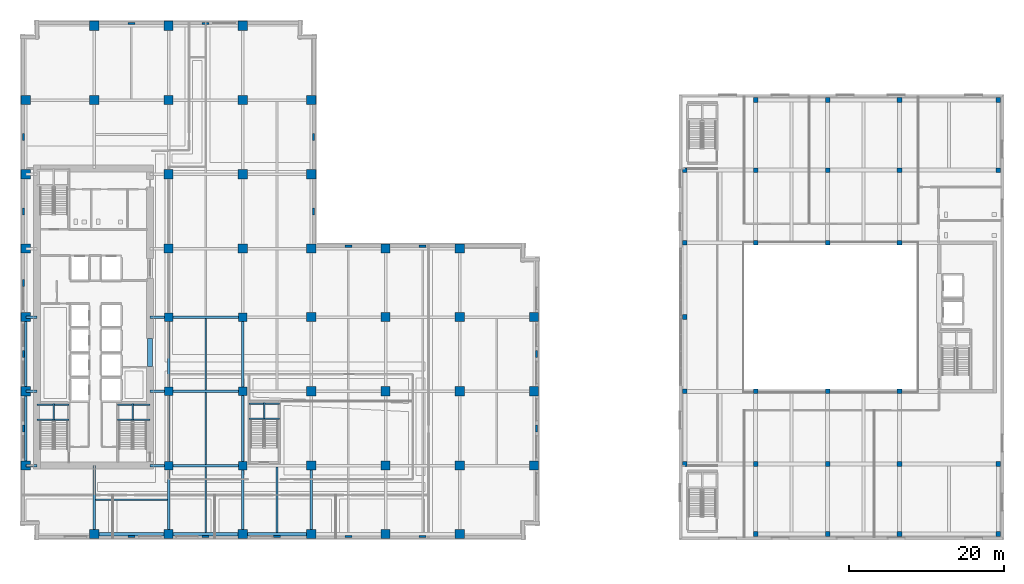
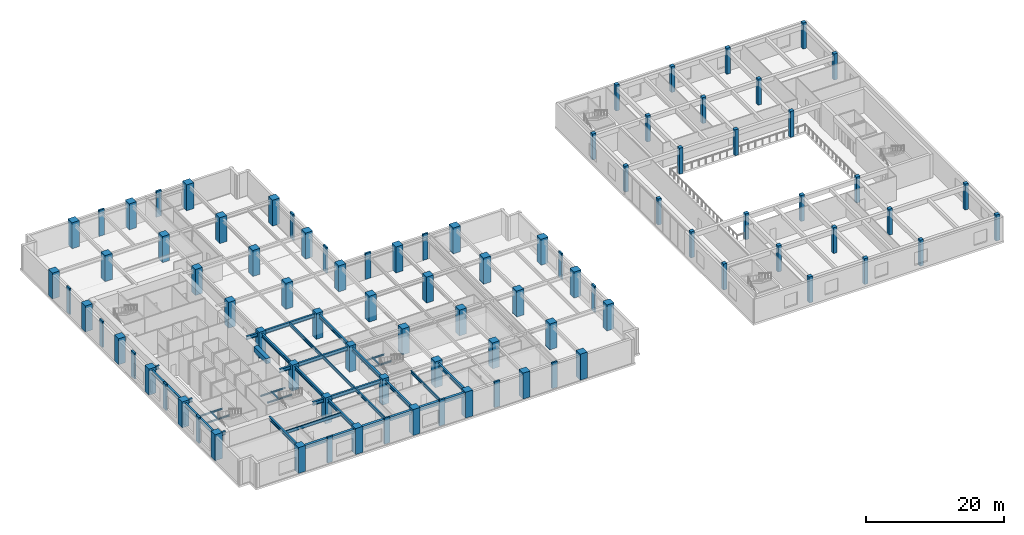
# One storey, part 1 of 24: 90 columns, 37 beams.
"""IFC4 building model written with IfcOpenShell, lengths in metres."""

from ifc_helpers import new_model, si_unit, direction, frame, origin, origin_2d, place, context, subcontext, project, spatial, rectangle, i_section, extrude, material, material_profile, profile_set, type_object, element, save


model = new_model("IFC4")

# Units and contexts
model_context = context("Model", 3, precision=1e-05, world=origin(), true_north=direction((0.0, 1.0)))
body_context = subcontext(model_context, "Body", "Model", "MODEL_VIEW")
ifc_project = project(units=[si_unit("LENGTHUNIT", "METRE"), si_unit("AREAUNIT", "SQUARE_METRE"), si_unit("VOLUMEUNIT", "CUBIC_METRE"), si_unit("PLANEANGLEUNIT", "RADIAN"), si_unit("MASSUNIT", "GRAM", prefix="KILO")], contexts=[model_context])

# Site, building, storey
site_placement = place(None, origin())
site = spatial("IfcSite", under=ifc_project, at=site_placement, CompositionType="ELEMENT")
building_placement = place(site_placement, origin())
building = spatial("IfcBuilding", under=site, at=building_placement, Name="Norrvale University Quadrangle", CompositionType="ELEMENT")
storey_placement = place(building_placement, frame((0.0, 0.0, 10.39990234375)))
storey = spatial("IfcBuildingStorey", under=building, at=storey_placement, Name="L02", CompositionType="ELEMENT", Elevation=10.39990234375)

# Columns
ifc_material_1 = material(Name="Buff Brick Concrete C60/75", Category="concrete")
ifc_material_profile_1 = material_profile(ifc_material_1, rectangle(XDim=0.89990234375, YDim=0.280029296875, at=origin_2d()), Name="Buff Brick Concrete C60/75")
ifc_profile_set_1 = profile_set([ifc_material_profile_1], Name="Buff Brick Concrete C60/75")
column_type_1 = type_object("IfcColumnType", Name="Column Buff Pier 900x280", PredefinedType="PILASTER", material=ifc_profile_set_1)
for number, where, z_axis, x_axis, name in (
    (1, (0.449951171875, 14.39990234375, 0.0), (0.0, 0.0, 1.0), (0.0, 1.0, 0.0), "Exterior Brick Facade Pilaster L02-01"),
    (2, (0.449951171875, 24.0, 0.0), (0.0, 0.0, 1.0), (0.0, 1.0, 0.0), "Exterior Brick Facade Pilaster L02-02"),
    (3, (0.449951171875, 33.199951171875, 0.0), (0.0, 0.0, 1.0), (0.0, 1.0, 0.0), "Exterior Brick Facade Pilaster L02-03"),
    (4, (0.449951171875, 42.449951171875, 0.0), (0.0, 0.0, 1.0), (0.0, 1.0, 0.0), "Exterior Brick Facade Pilaster L02-04"),
    (5, (0.449951171875, 52.050048828125, 0.0), (0.0, 0.0, 1.0), (0.0, 1.0, 0.0), "Exterior Brick Facade Pilaster L02-05"),
    (6, (14.39990234375, 0.449951171875, 0.0), (0.0, 0.0, 1.0), (1.0, 0.0, 0.0), "Exterior Brick Facade Pilaster L02-06"),
    (7, (24.0, 0.449951171875, 0.0), (0.0, 0.0, 1.0), (1.0, 0.0, 0.0), "Exterior Brick Facade Pilaster L02-07"),
    (8, (33.199951171875, 0.449951171875, 0.0), (0.0, 0.0, 1.0), (1.0, 0.0, 0.0), "Exterior Brick Facade Pilaster L02-08"),
    (9, (42.449951171875, 0.449951171875, 0.0), (0.0, 0.0, 1.0), (1.0, 0.0, 0.0), "Exterior Brick Facade Pilaster L02-09"),
    (10, (52.050048828125, 0.449951171875, 0.0), (0.0, 0.0, 1.0), (1.0, 0.0, 0.0), "Exterior Brick Facade Pilaster L02-10"),
    (11, (66.75, 14.39990234375, 0.0), (0.0, 0.0, 1.0), (0.0, 1.0, 0.0), "Exterior Brick Facade Pilaster L02-11"),
    (12, (66.75, 24.0, 0.0), (0.0, 0.0, 1.0), (0.0, 1.0, 0.0), "Exterior Brick Facade Pilaster L02-12"),
    (13, (14.39990234375, 66.75, 0.0), (0.0, 0.0, 1.0), (1.0, 0.0, 0.0), "Exterior Brick Facade Pilaster L02-13"),
    (14, (24.0, 66.75, 0.0), (0.0, 0.0, 1.0), (1.0, 0.0, 0.0), "Exterior Brick Facade Pilaster L02-14"),
    (15, (37.949951171875, 42.449951171875, 0.0), (0.0, 0.0, 1.0), (0.0, 1.0, 0.0), "Exterior Brick Facade Pilaster L02-15"),
    (16, (37.949951171875, 52.050048828125, 0.0), (0.0, 0.0, 1.0), (0.0, 1.0, 0.0), "Exterior Brick Facade Pilaster L02-16"),
    (17, (42.449951171875, 37.949951171875, 0.0), (0.0, 0.0, 1.0), (1.0, 0.0, 0.0), "Exterior Brick Facade Pilaster L02-17"),
    (18, (52.050048828125, 37.949951171875, 0.0), (0.0, 0.0, 1.0), (1.0, 0.0, 0.0), "Exterior Brick Facade Pilaster L02-18"),
):
    element("IfcColumn", number, at=place(storey_placement, frame(where, z_axis=z_axis, x_axis=x_axis)), inside=storey, type_object=column_type_1, Name=name, PredefinedType="PILASTER", context=body_context, shape_type="SweptSolid", body=[
        extrude(rectangle(XDim=0.89990234375, YDim=0.280029296875, at=origin_2d()), origin(), (0.0, 0.0, 1.0), 4.60009765625),
    ])
ifc_material_2 = material(Name="Concrete C60/75", Category="concrete")
ifc_material_profile_2 = material_profile(ifc_material_2, rectangle(XDim=0.60009765625, YDim=0.60009765625, at=origin_2d()), Name="Concrete C60/75")
ifc_profile_set_2 = profile_set([ifc_material_profile_2], Name="Concrete C60/75")
column_type_2 = type_object("IfcColumnType", Name="Column Lib 600x600", PredefinedType="COLUMN", material=ifc_profile_set_2)
for number, where, z_axis, x_axis, name in (
    (19, (85.949951171875, 9.800048828125, 0.0), (0.0, 0.0, 1.0), (1.0, 0.0, 0.0), "Library Column L02-L01"),
    (20, (85.949951171875, 19.199951171875, 0.0), (0.0, 0.0, 1.0), (1.0, 0.0, 0.0), "Library Column L02-L02"),
    (21, (85.949951171875, 28.800048828125, 0.0), (0.0, 0.0, 1.0), (1.0, 0.0, 0.0), "Library Column L02-L03"),
    (22, (85.949951171875, 38.39990234375, 0.0), (0.0, 0.0, 1.0), (1.0, 0.0, 0.0), "Library Column L02-L04"),
    (23, (85.949951171875, 47.800048828125, 0.0), (0.0, 0.0, 1.0), (1.0, 0.0, 0.0), "Library Column L02-L05"),
    (24, (95.10009765625, 0.75, 0.0), (0.0, 0.0, 1.0), (1.0, 0.0, 0.0), "Library Column L02-L06"),
    (25, (95.10009765625, 9.800048828125, 0.0), (0.0, 0.0, 1.0), (1.0, 0.0, 0.0), "Library Column L02-L07"),
    (26, (95.10009765625, 19.199951171875, 0.0), (0.0, 0.0, 1.0), (1.0, 0.0, 0.0), "Library Column L02-L08"),
    (27, (95.10009765625, 38.39990234375, 0.0), (0.0, 0.0, 1.0), (1.0, 0.0, 0.0), "Library Column L02-L09"),
    (28, (95.10009765625, 47.800048828125, 0.0), (0.0, 0.0, 1.0), (1.0, 0.0, 0.0), "Library Column L02-L10"),
    (29, (95.10009765625, 56.85009765625, 0.0), (0.0, 0.0, 1.0), (1.0, 0.0, 0.0), "Library Column L02-L11"),
    (30, (104.39990234375, 0.75, 0.0), (0.0, 0.0, 1.0), (1.0, 0.0, 0.0), "Library Column L02-L12"),
    (31, (104.39990234375, 9.800048828125, 0.0), (0.0, 0.0, 1.0), (1.0, 0.0, 0.0), "Library Column L02-L13"),
    (32, (104.39990234375, 19.199951171875, 0.0), (0.0, 0.0, 1.0), (1.0, 0.0, 0.0), "Library Column L02-L14"),
    (33, (104.39990234375, 38.39990234375, 0.0), (0.0, 0.0, 1.0), (1.0, 0.0, 0.0), "Library Column L02-L15"),
    (34, (104.39990234375, 47.800048828125, 0.0), (0.0, 0.0, 1.0), (1.0, 0.0, 0.0), "Library Column L02-L16"),
    (35, (104.39990234375, 56.85009765625, 0.0), (0.0, 0.0, 1.0), (1.0, 0.0, 0.0), "Library Column L02-L17"),
    (36, (113.699951171875, 0.75, 0.0), (0.0, 0.0, 1.0), (1.0, 0.0, 0.0), "Library Column L02-L18"),
    (37, (113.699951171875, 9.800048828125, 0.0), (0.0, 0.0, 1.0), (1.0, 0.0, 0.0), "Library Column L02-L19"),
    (38, (113.699951171875, 19.199951171875, 0.0), (0.0, 0.0, 1.0), (1.0, 0.0, 0.0), "Library Column L02-L20"),
    (39, (113.699951171875, 38.39990234375, 0.0), (0.0, 0.0, 1.0), (1.0, 0.0, 0.0), "Library Column L02-L21"),
    (40, (113.699951171875, 47.800048828125, 0.0), (0.0, 0.0, 1.0), (1.0, 0.0, 0.0), "Library Column L02-L22"),
    (41, (113.699951171875, 56.85009765625, 0.0), (0.0, 0.0, 1.0), (1.0, 0.0, 0.0), "Library Column L02-L23"),
    (42, (126.449951171875, 0.75, 0.0), (0.0, 0.0, 1.0), (1.0, 0.0, 0.0), "Library Column L02-L24"),
    (43, (126.449951171875, 9.800048828125, 0.0), (0.0, 0.0, 1.0), (1.0, 0.0, 0.0), "Library Column L02-L25"),
    (44, (126.449951171875, 47.800048828125, 0.0), (0.0, 0.0, 1.0), (1.0, 0.0, 0.0), "Library Column L02-L26"),
    (45, (126.449951171875, 56.85009765625, 0.0), (0.0, 0.0, 1.0), (1.0, 0.0, 0.0), "Library Column L02-L27"),
):
    element("IfcColumn", number, at=place(storey_placement, frame(where, z_axis=z_axis, x_axis=x_axis)), inside=storey, type_object=column_type_2, Name=name, PredefinedType="COLUMN", context=body_context, shape_type="SweptSolid", body=[
        extrude(rectangle(XDim=0.60009765625, YDim=0.60009765625, at=origin_2d()), origin(), (0.0, 0.0, 1.0), 4.60009765625),
    ])
ifc_material_3 = material(Name="Concrete C80/95", Category="concrete")
ifc_material_profile_3 = material_profile(ifc_material_3, rectangle(XDim=1.10009765625, YDim=1.10009765625, at=origin_2d()), Name="Concrete C80/95")
ifc_profile_set_3 = profile_set([ifc_material_profile_3], Name="Concrete C80/95")
column_type_3 = type_object("IfcColumnType", Name="Column Tower Z1 1100x1100", PredefinedType="COLUMN", material=ifc_profile_set_3)
for number, where, z_axis, x_axis, name in (
    (46, (19.199951171875, 9.60009765625, 0.0), (0.0, 0.0, 1.0), (1.0, 0.0, 0.0), "Tower Column L02-T11"),
    (47, (19.199951171875, 19.199951171875, 0.0), (0.0, 0.0, 1.0), (1.0, 0.0, 0.0), "Tower Column L02-T12"),
    (48, (19.199951171875, 28.800048828125, 0.0), (0.0, 0.0, 1.0), (1.0, 0.0, 0.0), "Tower Column L02-T13"),
    (49, (28.800048828125, 9.60009765625, 0.0), (0.0, 0.0, 1.0), (1.0, 0.0, 0.0), "Tower Column L02-T19"),
    (50, (28.800048828125, 19.199951171875, 0.0), (0.0, 0.0, 1.0), (1.0, 0.0, 0.0), "Tower Column L02-T20"),
    (51, (28.800048828125, 28.800048828125, 0.0), (0.0, 0.0, 1.0), (1.0, 0.0, 0.0), "Tower Column L02-T21"),
):
    element("IfcColumn", number, at=place(storey_placement, frame(where, z_axis=z_axis, x_axis=x_axis)), inside=storey, type_object=column_type_3, Name=name, PredefinedType="COLUMN", context=body_context, shape_type="SweptSolid", body=[
        extrude(rectangle(XDim=1.10009765625, YDim=1.10009765625, at=origin_2d()), origin(), (0.0, 0.0, 1.0), 4.60009765625),
    ])
ifc_material_profile_4 = material_profile(ifc_material_3, rectangle(XDim=1.199951171875, YDim=1.199951171875, at=origin_2d()), Name="Concrete C80/95")
ifc_profile_set_4 = profile_set([ifc_material_profile_4], Name="Concrete C80/95")
column_type_4 = type_object("IfcColumnType", Name="Column Tower Z1 1200x1200", PredefinedType="COLUMN", material=ifc_profile_set_4)
for number, where, z_axis, x_axis, name in (
    (52, (0.75, 9.60009765625, 0.0), (0.0, 0.0, 1.0), (1.0, 0.0, 0.0), "Tower Column L02-T01"),
    (53, (0.75, 19.199951171875, 0.0), (0.0, 0.0, 1.0), (1.0, 0.0, 0.0), "Tower Column L02-T02"),
    (54, (0.75, 28.800048828125, 0.0), (0.0, 0.0, 1.0), (1.0, 0.0, 0.0), "Tower Column L02-T03"),
    (55, (0.75, 37.64990234375, 0.0), (0.0, 0.0, 1.0), (1.0, 0.0, 0.0), "Tower Column L02-T04"),
    (56, (0.75, 47.25, 0.0), (0.0, 0.0, 1.0), (1.0, 0.0, 0.0), "Tower Column L02-T05"),
    (57, (0.75, 56.85009765625, 0.0), (0.0, 0.0, 1.0), (1.0, 0.0, 0.0), "Tower Column L02-T06"),
    (58, (9.60009765625, 0.75, 0.0), (0.0, 0.0, 1.0), (1.0, 0.0, 0.0), "Tower Column L02-T07"),
    (59, (9.60009765625, 56.85009765625, 0.0), (0.0, 0.0, 1.0), (1.0, 0.0, 0.0), "Tower Column L02-T08"),
    (60, (9.60009765625, 66.449951171875, 0.0), (0.0, 0.0, 1.0), (1.0, 0.0, 0.0), "Tower Column L02-T09"),
    (61, (19.199951171875, 0.75, 0.0), (0.0, 0.0, 1.0), (1.0, 0.0, 0.0), "Tower Column L02-T10"),
    (62, (19.199951171875, 37.64990234375, 0.0), (0.0, 0.0, 1.0), (1.0, 0.0, 0.0), "Tower Column L02-T14"),
    (63, (19.199951171875, 47.25, 0.0), (0.0, 0.0, 1.0), (1.0, 0.0, 0.0), "Tower Column L02-T15"),
    (64, (19.199951171875, 56.85009765625, 0.0), (0.0, 0.0, 1.0), (1.0, 0.0, 0.0), "Tower Column L02-T16"),
    (65, (19.199951171875, 66.449951171875, 0.0), (0.0, 0.0, 1.0), (1.0, 0.0, 0.0), "Tower Column L02-T17"),
    (66, (28.800048828125, 0.75, 0.0), (0.0, 0.0, 1.0), (1.0, 0.0, 0.0), "Tower Column L02-T18"),
    (67, (28.800048828125, 37.64990234375, 0.0), (0.0, 0.0, 1.0), (1.0, 0.0, 0.0), "Tower Column L02-T22"),
    (68, (28.800048828125, 47.25, 0.0), (0.0, 0.0, 1.0), (1.0, 0.0, 0.0), "Tower Column L02-T23"),
    (69, (28.800048828125, 56.85009765625, 0.0), (0.0, 0.0, 1.0), (1.0, 0.0, 0.0), "Tower Column L02-T24"),
    (70, (28.800048828125, 66.449951171875, 0.0), (0.0, 0.0, 1.0), (1.0, 0.0, 0.0), "Tower Column L02-T25"),
    (71, (37.64990234375, 0.75, 0.0), (0.0, 0.0, 1.0), (1.0, 0.0, 0.0), "Tower Column L02-T26"),
    (72, (37.64990234375, 9.60009765625, 0.0), (0.0, 0.0, 1.0), (1.0, 0.0, 0.0), "Tower Column L02-T27"),
    (73, (37.64990234375, 19.199951171875, 0.0), (0.0, 0.0, 1.0), (1.0, 0.0, 0.0), "Tower Column L02-T28"),
    (74, (37.64990234375, 28.800048828125, 0.0), (0.0, 0.0, 1.0), (1.0, 0.0, 0.0), "Tower Column L02-T29"),
    (75, (37.64990234375, 37.64990234375, 0.0), (0.0, 0.0, 1.0), (1.0, 0.0, 0.0), "Tower Column L02-T30"),
    (76, (37.64990234375, 47.25, 0.0), (0.0, 0.0, 1.0), (1.0, 0.0, 0.0), "Tower Column L02-T31"),
    (77, (37.64990234375, 56.85009765625, 0.0), (0.0, 0.0, 1.0), (1.0, 0.0, 0.0), "Tower Column L02-T32"),
    (78, (47.25, 0.75, 0.0), (0.0, 0.0, 1.0), (1.0, 0.0, 0.0), "Tower Column L02-T33"),
    (79, (47.25, 9.60009765625, 0.0), (0.0, 0.0, 1.0), (1.0, 0.0, 0.0), "Tower Column L02-T34"),
    (80, (47.25, 19.199951171875, 0.0), (0.0, 0.0, 1.0), (1.0, 0.0, 0.0), "Tower Column L02-T35"),
    (81, (47.25, 28.800048828125, 0.0), (0.0, 0.0, 1.0), (1.0, 0.0, 0.0), "Tower Column L02-T36"),
    (82, (47.25, 37.64990234375, 0.0), (0.0, 0.0, 1.0), (1.0, 0.0, 0.0), "Tower Column L02-T37"),
    (83, (56.85009765625, 0.75, 0.0), (0.0, 0.0, 1.0), (1.0, 0.0, 0.0), "Tower Column L02-T38"),
    (84, (56.85009765625, 9.60009765625, 0.0), (0.0, 0.0, 1.0), (1.0, 0.0, 0.0), "Tower Column L02-T39"),
    (85, (56.85009765625, 19.199951171875, 0.0), (0.0, 0.0, 1.0), (1.0, 0.0, 0.0), "Tower Column L02-T40"),
    (86, (56.85009765625, 28.800048828125, 0.0), (0.0, 0.0, 1.0), (1.0, 0.0, 0.0), "Tower Column L02-T41"),
    (87, (56.85009765625, 37.64990234375, 0.0), (0.0, 0.0, 1.0), (1.0, 0.0, 0.0), "Tower Column L02-T42"),
    (88, (66.449951171875, 9.60009765625, 0.0), (0.0, 0.0, 1.0), (1.0, 0.0, 0.0), "Tower Column L02-T43"),
    (89, (66.449951171875, 19.199951171875, 0.0), (0.0, 0.0, 1.0), (1.0, 0.0, 0.0), "Tower Column L02-T44"),
    (90, (66.449951171875, 28.800048828125, 0.0), (0.0, 0.0, 1.0), (1.0, 0.0, 0.0), "Tower Column L02-T45"),
):
    element("IfcColumn", number, at=place(storey_placement, frame(where, z_axis=z_axis, x_axis=x_axis)), inside=storey, type_object=column_type_4, Name=name, PredefinedType="COLUMN", context=body_context, shape_type="SweptSolid", body=[
        extrude(rectangle(XDim=1.199951171875, YDim=1.199951171875, at=origin_2d()), origin(), (0.0, 0.0, 1.0), 4.60009765625),
    ])

# Beams
ifc_material_4 = material(Name="Steel 350W", Category="steel")
ifc_material_profile_5 = material_profile(ifc_material_4, i_section(OverallWidth=0.324951171875, OverallDepth=0.615966796875, WebThickness=0.013916015625, FlangeThickness=0.021484375, FilletRadius=0.01611328125, at=origin_2d()), Name="Steel 350W")
ifc_profile_set_5 = profile_set([ifc_material_profile_5], Name="Steel 350W")
beam_type_1 = type_object("IfcBeamType", Name="Beam Belt W610x174", PredefinedType="BEAM", material=ifc_profile_set_5)
for number, where, z_axis, x_axis, name in (
    (91, (19.199951171875, 9.60009765625, 3.9521484375), (1.0, 0.0, 0.0), (0.0, 1.0, 0.0), "Beam Belt W610x174 BM-L02-GX006"),
    (92, (19.199951171875, 19.199951171875, 3.9521484375), (1.0, 0.0, 0.0), (0.0, 1.0, 0.0), "Beam Belt W610x174 BM-L02-GX011"),
    (93, (19.199951171875, 28.800048828125, 3.9521484375), (1.0, 0.0, 0.0), (0.0, 1.0, 0.0), "Beam Belt W610x174 BM-L02-GX016"),
):
    element("IfcBeam", number, at=place(storey_placement, frame(where, z_axis=z_axis, x_axis=x_axis)), inside=storey, type_object=beam_type_1, Name=name, PredefinedType="BEAM", context=body_context, shape_type="SweptSolid", body=[
        extrude(i_section(OverallWidth=0.324951171875, OverallDepth=0.615966796875, WebThickness=0.013916015625, FlangeThickness=0.021484375, FilletRadius=0.01611328125, at=origin_2d()), origin(), (0.0, 0.0, 1.0), 9.60009765625),
    ])
beam_1_placement = place(storey_placement, frame((0.75, 9.60009765625, 3.9521484375), z_axis=(0.0, 1.0, 0.0), x_axis=(-1.0, 0.0, 0.0)))
element("IfcBeam", 94, at=beam_1_placement, inside=storey, type_object=beam_type_1, Name="Beam Belt W610x174 BM-L02-GY033", PredefinedType="BEAM", context=body_context, shape_type="SweptSolid", body=[
    extrude(i_section(OverallWidth=0.324951171875, OverallDepth=0.615966796875, WebThickness=0.013916015625, FlangeThickness=0.021484375, FilletRadius=0.01611328125, at=origin_2d()), origin(), (0.0, 0.0, 1.0), 9.599853515625),
])
beam_2_placement = place(storey_placement, frame((0.75, 19.199951171875, 3.9521484375), z_axis=(0.0, 1.0, 0.0), x_axis=(-1.0, 0.0, 0.0)))
element("IfcBeam", 95, at=beam_2_placement, inside=storey, type_object=beam_type_1, Name="Beam Belt W610x174 BM-L02-GY034", PredefinedType="BEAM", context=body_context, shape_type="SweptSolid", body=[
    extrude(i_section(OverallWidth=0.324951171875, OverallDepth=0.615966796875, WebThickness=0.013916015625, FlangeThickness=0.021484375, FilletRadius=0.01611328125, at=origin_2d()), origin(), (0.0, 0.0, 1.0), 9.60009765625),
])
beam_3_placement = place(storey_placement, frame((19.199951171875, 0.75, 3.9521484375), z_axis=(0.0, 1.0, 0.0), x_axis=(-1.0, 0.0, 0.0)))
element("IfcBeam", 96, at=beam_3_placement, inside=storey, type_object=beam_type_1, Name="Beam Belt W610x174 BM-L02-GY039", PredefinedType="BEAM", context=body_context, shape_type="SweptSolid", body=[
    extrude(i_section(OverallWidth=0.324951171875, OverallDepth=0.615966796875, WebThickness=0.013916015625, FlangeThickness=0.021484375, FilletRadius=0.01611328125, at=origin_2d()), origin(), (0.0, 0.0, 1.0), 8.85009765625),
])
beam_4_placement = place(storey_placement, frame((19.199951171875, 9.60009765625, 3.9521484375), z_axis=(0.0, 1.0, 0.0), x_axis=(-1.0, 0.0, 0.0)))
element("IfcBeam", 97, at=beam_4_placement, inside=storey, type_object=beam_type_1, Name="Beam Belt W610x174 BM-L02-GY040", PredefinedType="BEAM", context=body_context, shape_type="SweptSolid", body=[
    extrude(i_section(OverallWidth=0.324951171875, OverallDepth=0.615966796875, WebThickness=0.013916015625, FlangeThickness=0.021484375, FilletRadius=0.01611328125, at=origin_2d()), origin(), (0.0, 0.0, 1.0), 9.599853515625),
])
beam_5_placement = place(storey_placement, frame((19.199951171875, 19.199951171875, 3.9521484375), z_axis=(0.0, 1.0, 0.0), x_axis=(-1.0, 0.0, 0.0)))
element("IfcBeam", 98, at=beam_5_placement, inside=storey, type_object=beam_type_1, Name="Beam Belt W610x174 BM-L02-GY041", PredefinedType="BEAM", context=body_context, shape_type="SweptSolid", body=[
    extrude(i_section(OverallWidth=0.324951171875, OverallDepth=0.615966796875, WebThickness=0.013916015625, FlangeThickness=0.021484375, FilletRadius=0.01611328125, at=origin_2d()), origin(), (0.0, 0.0, 1.0), 9.60009765625),
])
beam_6_placement = place(storey_placement, frame((28.800048828125, 0.75, 3.9521484375), z_axis=(0.0, 1.0, 0.0), x_axis=(-1.0, 0.0, 0.0)))
element("IfcBeam", 99, at=beam_6_placement, inside=storey, type_object=beam_type_1, Name="Beam Belt W610x174 BM-L02-GY046", PredefinedType="BEAM", context=body_context, shape_type="SweptSolid", body=[
    extrude(i_section(OverallWidth=0.324951171875, OverallDepth=0.615966796875, WebThickness=0.013916015625, FlangeThickness=0.021484375, FilletRadius=0.01611328125, at=origin_2d()), origin(), (0.0, 0.0, 1.0), 8.85009765625),
])
beam_7_placement = place(storey_placement, frame((28.800048828125, 9.60009765625, 3.9521484375), z_axis=(0.0, 1.0, 0.0), x_axis=(-1.0, 0.0, 0.0)))
element("IfcBeam", 100, at=beam_7_placement, inside=storey, type_object=beam_type_1, Name="Beam Belt W610x174 BM-L02-GY047", PredefinedType="BEAM", context=body_context, shape_type="SweptSolid", body=[
    extrude(i_section(OverallWidth=0.324951171875, OverallDepth=0.615966796875, WebThickness=0.013916015625, FlangeThickness=0.021484375, FilletRadius=0.01611328125, at=origin_2d()), origin(), (0.0, 0.0, 1.0), 9.599853515625),
])
beam_8_placement = place(storey_placement, frame((28.800048828125, 19.199951171875, 3.9521484375), z_axis=(0.0, 1.0, 0.0), x_axis=(-1.0, 0.0, 0.0)))
element("IfcBeam", 101, at=beam_8_placement, inside=storey, type_object=beam_type_1, Name="Beam Belt W610x174 BM-L02-GY048", PredefinedType="BEAM", context=body_context, shape_type="SweptSolid", body=[
    extrude(i_section(OverallWidth=0.324951171875, OverallDepth=0.615966796875, WebThickness=0.013916015625, FlangeThickness=0.021484375, FilletRadius=0.01611328125, at=origin_2d()), origin(), (0.0, 0.0, 1.0), 9.60009765625),
])
beam_9_placement = place(storey_placement, frame((37.64990234375, 0.75, 3.9521484375), z_axis=(0.0, 1.0, 0.0), x_axis=(-1.0, 0.0, 0.0)))
element("IfcBeam", 102, at=beam_9_placement, inside=storey, type_object=beam_type_1, Name="Beam Belt W610x174 BM-L02-GY053", PredefinedType="BEAM", context=body_context, shape_type="SweptSolid", body=[
    extrude(i_section(OverallWidth=0.324951171875, OverallDepth=0.615966796875, WebThickness=0.013916015625, FlangeThickness=0.021484375, FilletRadius=0.01611328125, at=origin_2d()), origin(), (0.0, 0.0, 1.0), 8.85009765625),
])
beam_10_placement = place(storey_placement, frame((0.75, 9.60009765625, 3.9521484375), z_axis=(1.0, 0.0, 0.0), x_axis=(0.0, 1.0, 0.0)))
element("IfcBeam", 103, at=beam_10_placement, inside=storey, type_object=beam_type_1, Name="Beam Belt W610x174 BM-L02-GCW069", PredefinedType="BEAM", context=body_context, shape_type="SweptSolid", body=[
    extrude(i_section(OverallWidth=0.324951171875, OverallDepth=0.615966796875, WebThickness=0.013916015625, FlangeThickness=0.021484375, FilletRadius=0.01611328125, at=origin_2d()), origin(), (0.0, 0.0, 1.0), 1.449951171875),
])
beam_11_placement = place(storey_placement, frame((16.800048828125, 9.60009765625, 3.9521484375), z_axis=(1.0, 0.0, 0.0), x_axis=(0.0, 1.0, 0.0)))
element("IfcBeam", 104, at=beam_11_placement, inside=storey, type_object=beam_type_1, Name="Beam Belt W610x174 BM-L02-GCE070", PredefinedType="BEAM", context=body_context, shape_type="SweptSolid", body=[
    extrude(i_section(OverallWidth=0.324951171875, OverallDepth=0.615966796875, WebThickness=0.013916015625, FlangeThickness=0.021484375, FilletRadius=0.01611328125, at=origin_2d()), origin(), (0.0, 0.0, 1.0), 2.39990234375),
])
beam_12_placement = place(storey_placement, frame((0.75, 19.199951171875, 3.9521484375), z_axis=(1.0, 0.0, 0.0), x_axis=(0.0, 1.0, 0.0)))
element("IfcBeam", 105, at=beam_12_placement, inside=storey, type_object=beam_type_1, Name="Beam Belt W610x174 BM-L02-GCW071", PredefinedType="BEAM", context=body_context, shape_type="SweptSolid", body=[
    extrude(i_section(OverallWidth=0.324951171875, OverallDepth=0.615966796875, WebThickness=0.013916015625, FlangeThickness=0.021484375, FilletRadius=0.01611328125, at=origin_2d()), origin(), (0.0, 0.0, 1.0), 1.449951171875),
])
beam_13_placement = place(storey_placement, frame((16.800048828125, 19.199951171875, 3.9521484375), z_axis=(1.0, 0.0, 0.0), x_axis=(0.0, 1.0, 0.0)))
element("IfcBeam", 106, at=beam_13_placement, inside=storey, type_object=beam_type_1, Name="Beam Belt W610x174 BM-L02-GCE072", PredefinedType="BEAM", context=body_context, shape_type="SweptSolid", body=[
    extrude(i_section(OverallWidth=0.324951171875, OverallDepth=0.615966796875, WebThickness=0.013916015625, FlangeThickness=0.021484375, FilletRadius=0.01611328125, at=origin_2d()), origin(), (0.0, 0.0, 1.0), 2.39990234375),
])
beam_14_placement = place(storey_placement, frame((0.75, 28.800048828125, 3.9521484375), z_axis=(1.0, 0.0, 0.0), x_axis=(0.0, 1.0, 0.0)))
element("IfcBeam", 107, at=beam_14_placement, inside=storey, type_object=beam_type_1, Name="Beam Belt W610x174 BM-L02-GCW073", PredefinedType="BEAM", context=body_context, shape_type="SweptSolid", body=[
    extrude(i_section(OverallWidth=0.324951171875, OverallDepth=0.615966796875, WebThickness=0.013916015625, FlangeThickness=0.021484375, FilletRadius=0.01611328125, at=origin_2d()), origin(), (0.0, 0.0, 1.0), 1.449951171875),
])
beam_15_placement = place(storey_placement, frame((16.800048828125, 28.800048828125, 3.9521484375), z_axis=(1.0, 0.0, 0.0), x_axis=(0.0, 1.0, 0.0)))
element("IfcBeam", 108, at=beam_15_placement, inside=storey, type_object=beam_type_1, Name="Beam Belt W610x174 BM-L02-GCE074", PredefinedType="BEAM", context=body_context, shape_type="SweptSolid", body=[
    extrude(i_section(OverallWidth=0.324951171875, OverallDepth=0.615966796875, WebThickness=0.013916015625, FlangeThickness=0.021484375, FilletRadius=0.01611328125, at=origin_2d()), origin(), (0.0, 0.0, 1.0), 2.39990234375),
])
beam_16_placement = place(storey_placement, frame((9.60009765625, 0.75, 3.9521484375), z_axis=(0.0, 1.0, 0.0), x_axis=(-1.0, 0.0, 0.0)))
element("IfcBeam", 109, at=beam_16_placement, inside=storey, type_object=beam_type_1, Name="Beam Belt W610x174 BM-L02-GCS102", PredefinedType="BEAM", context=body_context, shape_type="SweptSolid", body=[
    extrude(i_section(OverallWidth=0.324951171875, OverallDepth=0.615966796875, WebThickness=0.013916015625, FlangeThickness=0.021484375, FilletRadius=0.01611328125, at=origin_2d()), origin(), (0.0, 0.0, 1.0), 8.85009765625),
])
ifc_material_profile_6 = material_profile(ifc_material_3, rectangle(XDim=0.699951171875, YDim=0.949951171875, at=origin_2d()), Name="Concrete C80/95")
ifc_profile_set_6 = profile_set([ifc_material_profile_6], Name="Concrete C80/95")
beam_type_2 = type_object("IfcBeamType", Name="Beam Core Link 700x950", PredefinedType="LINTEL", material=ifc_profile_set_6)
beam_17_placement = place(storey_placement, frame((16.800048828125, 22.39990234375, 3.78515625), z_axis=(0.0, 1.0, 0.0), x_axis=(-1.0, 0.0, 0.0)))
element("IfcBeam", 110, at=beam_17_placement, inside=storey, type_object=beam_type_2, Name="Core Coupling Lintel Beam L02-1", PredefinedType="LINTEL", context=body_context, shape_type="SweptSolid", body=[
    extrude(rectangle(XDim=0.699951171875, YDim=0.949951171875, at=origin_2d()), origin(), (0.0, 0.0, 1.0), 3.60009765625),
])
ifc_material_profile_7 = material_profile(ifc_material_2, rectangle(XDim=0.449951171875, YDim=0.64990234375, at=origin_2d()), Name="Concrete C60/75")
ifc_profile_set_7 = profile_set([ifc_material_profile_7], Name="Concrete C60/75")
beam_type_3 = type_object("IfcBeamType", Name="Beam Edge 450x650", PredefinedType="BEAM", material=ifc_profile_set_7)
beam_18_placement = place(storey_placement, frame((9.60009765625, 0.75, 3.93505859375), z_axis=(1.0, 0.0, 0.0), x_axis=(0.0, 1.0, 0.0)))
element("IfcBeam", 111, at=beam_18_placement, inside=storey, type_object=beam_type_3, Name="Beam Edge 450x650 BM-L02-GX001", PredefinedType="BEAM", context=body_context, shape_type="SweptSolid", body=[
    extrude(rectangle(XDim=0.449951171875, YDim=0.64990234375, at=origin_2d()), origin(), (0.0, 0.0, 1.0), 9.599853515625),
])
beam_19_placement = place(storey_placement, frame((19.199951171875, 0.75, 3.93505859375), z_axis=(1.0, 0.0, 0.0), x_axis=(0.0, 1.0, 0.0)))
element("IfcBeam", 112, at=beam_19_placement, inside=storey, type_object=beam_type_3, Name="Beam Edge 450x650 BM-L02-GX002", PredefinedType="BEAM", context=body_context, shape_type="SweptSolid", body=[
    extrude(rectangle(XDim=0.449951171875, YDim=0.64990234375, at=origin_2d()), origin(), (0.0, 0.0, 1.0), 9.60009765625),
])
beam_20_placement = place(storey_placement, frame((28.800048828125, 0.75, 3.93505859375), z_axis=(1.0, 0.0, 0.0), x_axis=(0.0, 1.0, 0.0)))
element("IfcBeam", 113, at=beam_20_placement, inside=storey, type_object=beam_type_3, Name="Beam Edge 450x650 BM-L02-GX003", PredefinedType="BEAM", context=body_context, shape_type="SweptSolid", body=[
    extrude(rectangle(XDim=0.449951171875, YDim=0.64990234375, at=origin_2d()), origin(), (0.0, 0.0, 1.0), 8.849853515625),
])
ifc_material_profile_8 = material_profile(ifc_material_4, i_section(OverallWidth=0.2119140625, OverallDepth=0.5439453125, WebThickness=0.01318359375, FlangeThickness=0.021240234375, FilletRadius=0.013916015625, at=origin_2d()), Name="Steel 350W")
ifc_profile_set_8 = profile_set([ifc_material_profile_8], Name="Steel 350W")
beam_type_4 = type_object("IfcBeamType", Name="Beam Floor W530x123", PredefinedType="BEAM", material=ifc_profile_set_8)
beam_21_placement = place(storey_placement, frame((24.0, 0.97509765625, 3.988037109375), z_axis=(0.0, 1.0, 0.0), x_axis=(-1.0, 0.0, 0.0)))
element("IfcBeam", 114, at=beam_21_placement, inside=storey, type_object=beam_type_4, Name="Beam Floor W530x123 BM-L02-J080", PredefinedType="BEAM", context=body_context, shape_type="SweptSolid", body=[
    extrude(i_section(OverallWidth=0.2119140625, OverallDepth=0.5439453125, WebThickness=0.01318359375, FlangeThickness=0.021240234375, FilletRadius=0.013916015625, at=origin_2d()), origin(), (0.0, 0.0, 1.0), 8.46240234375),
])
beam_22_placement = place(storey_placement, frame((24.0, 9.762451171875, 3.988037109375), z_axis=(0.0, 1.0, 0.0), x_axis=(-1.0, 0.0, 0.0)))
element("IfcBeam", 115, at=beam_22_placement, inside=storey, type_object=beam_type_4, Name="Beam Floor W530x123 BM-L02-J081", PredefinedType="BEAM", context=body_context, shape_type="SweptSolid", body=[
    extrude(i_section(OverallWidth=0.2119140625, OverallDepth=0.5439453125, WebThickness=0.01318359375, FlangeThickness=0.021240234375, FilletRadius=0.013916015625, at=origin_2d()), origin(), (0.0, 0.0, 1.0), 9.275146484375),
])
beam_23_placement = place(storey_placement, frame((24.0, 19.362548828125, 3.988037109375), z_axis=(0.0, 1.0, 0.0), x_axis=(-1.0, 0.0, 0.0)))
element("IfcBeam", 116, at=beam_23_placement, inside=storey, type_object=beam_type_4, Name="Beam Floor W530x123 BM-L02-J082", PredefinedType="BEAM", context=body_context, shape_type="SweptSolid", body=[
    extrude(i_section(OverallWidth=0.2119140625, OverallDepth=0.5439453125, WebThickness=0.01318359375, FlangeThickness=0.021240234375, FilletRadius=0.013916015625, at=origin_2d()), origin(), (0.0, 0.0, 1.0), 9.27490234375),
])
beam_24_placement = place(storey_placement, frame((33.22509765625, 0.97509765625, 3.988037109375), z_axis=(0.0, 1.0, 0.0), x_axis=(-1.0, 0.0, 0.0)))
element("IfcBeam", 117, at=beam_24_placement, inside=storey, type_object=beam_type_4, Name="Beam Floor W530x123 BM-L02-J087", PredefinedType="BEAM", context=body_context, shape_type="SweptSolid", body=[
    extrude(i_section(OverallWidth=0.2119140625, OverallDepth=0.5439453125, WebThickness=0.01318359375, FlangeThickness=0.021240234375, FilletRadius=0.013916015625, at=origin_2d()), origin(), (0.0, 0.0, 1.0), 8.46240234375),
])
beam_25_placement = place(storey_placement, frame((9.762451171875, 5.199951171875, 3.988037109375), z_axis=(1.0, 0.0, 0.0), x_axis=(0.0, 1.0, 0.0)))
element("IfcBeam", 118, at=beam_25_placement, inside=storey, type_object=beam_type_4, Name="Beam Floor W530x123 BM-L02-JCS103", PredefinedType="BEAM", context=body_context, shape_type="SweptSolid", body=[
    extrude(i_section(OverallWidth=0.2119140625, OverallDepth=0.5439453125, WebThickness=0.01318359375, FlangeThickness=0.021240234375, FilletRadius=0.013916015625, at=origin_2d()), origin(), (0.0, 0.0, 1.0), 9.275146484375),
])
ifc_material_profile_9 = material_profile(ifc_material_4, i_section(OverallWidth=0.201904296875, OverallDepth=0.2470703125, WebThickness=0.00732421875, FlangeThickness=0.010986328125, FilletRadius=0.011962890625, at=origin_2d()), Name="Steel 350W")
ifc_profile_set_9 = profile_set([ifc_material_profile_9], Name="Steel 350W")
beam_type_5 = type_object("IfcBeamType", Name="Beam Stair W250x49", PredefinedType="BEAM", material=ifc_profile_set_9)
for number, where, z_axis, x_axis, name in (
    (119, (2.199951171875, 15.510009765625, 1.9765625), (1.0, 0.0, 0.0), (0.0, 1.0, 0.0), "Stair Mid-Landing Front Beam ST-01 L02"),
    (120, (2.199951171875, 17.469970703125, 1.9765625), (1.0, 0.0, 0.0), (0.0, 1.0, 0.0), "Stair Mid-Landing Rear Beam ST-01 L02"),
):
    element("IfcBeam", number, at=place(storey_placement, frame(where, z_axis=z_axis, x_axis=x_axis)), inside=storey, type_object=beam_type_5, Name=name, PredefinedType="BEAM", context=body_context, shape_type="SweptSolid", body=[
        extrude(i_section(OverallWidth=0.201904296875, OverallDepth=0.2470703125, WebThickness=0.00732421875, FlangeThickness=0.010986328125, FilletRadius=0.011962890625, at=origin_2d()), origin(), (0.0, 0.0, 1.0), 4.14013671875),
    ])
for number, where, z_axis, x_axis, name in (
    (121, (12.610107421875, 15.510009765625, 1.9765625), (1.0, 0.0, 0.0), (0.0, 1.0, 0.0), "Stair Mid-Landing Front Beam ST-03 L02"),
    (122, (12.610107421875, 17.469970703125, 1.9765625), (1.0, 0.0, 0.0), (0.0, 1.0, 0.0), "Stair Mid-Landing Rear Beam ST-03 L02"),
):
    element("IfcBeam", number, at=place(storey_placement, frame(where, z_axis=z_axis, x_axis=x_axis)), inside=storey, type_object=beam_type_5, Name=name, PredefinedType="BEAM", context=body_context, shape_type="SweptSolid", body=[
        extrude(i_section(OverallWidth=0.201904296875, OverallDepth=0.2470703125, WebThickness=0.00732421875, FlangeThickness=0.010986328125, FilletRadius=0.011962890625, at=origin_2d()), origin(), (0.0, 0.0, 1.0), 4.18994140625),
    ])
for number, where, z_axis, x_axis, name in (
    (123, (29.610107421875, 15.659912109375, 1.9765625), (1.0, 0.0, 0.0), (0.0, 1.0, 0.0), "Stair Mid-Landing Front Beam ST-04 L02"),
    (124, (29.610107421875, 17.6201171875, 1.9765625), (1.0, 0.0, 0.0), (0.0, 1.0, 0.0), "Stair Mid-Landing Rear Beam ST-04 L02"),
):
    element("IfcBeam", number, at=place(storey_placement, frame(where, z_axis=z_axis, x_axis=x_axis)), inside=storey, type_object=beam_type_5, Name=name, PredefinedType="BEAM", context=body_context, shape_type="SweptSolid", body=[
        extrude(i_section(OverallWidth=0.201904296875, OverallDepth=0.2470703125, WebThickness=0.00732421875, FlangeThickness=0.010986328125, FilletRadius=0.011962890625, at=origin_2d()), origin(), (0.0, 0.0, 1.0), 3.929931640625),
    ])
ifc_material_profile_10 = material_profile(ifc_material_4, i_section(OverallWidth=0.202880859375, OverallDepth=0.202880859375, WebThickness=0.007080078125, FlangeThickness=0.010986328125, FilletRadius=0.010009765625, at=origin_2d()), Name="Steel 350W")
ifc_profile_set_10 = profile_set([ifc_material_profile_10], Name="Steel 350W")
beam_type_6 = type_object("IfcBeamType", Name="Beam Trim W200x46", PredefinedType="BEAM", material=ifc_profile_set_10)
for number, where, z_axis, x_axis, name in (
    (125, (4.375, 15.510009765625, 1.99853515625), (0.0, 1.0, 0.0), (-1.0, 0.0, 0.0), "Stair Mid-Landing Cross Beam ST-01 L02"),
    (126, (14.574951171875, 15.510009765625, 1.99853515625), (0.0, 1.0, 0.0), (-1.0, 0.0, 0.0), "Stair Mid-Landing Cross Beam ST-03 L02"),
    (127, (31.574951171875, 15.659912109375, 1.99853515625), (0.0, 1.0, 0.0), (-1.0, 0.0, 0.0), "Stair Mid-Landing Cross Beam ST-04 L02"),
):
    element("IfcBeam", number, at=place(storey_placement, frame(where, z_axis=z_axis, x_axis=x_axis)), inside=storey, type_object=beam_type_6, Name=name, PredefinedType="BEAM", context=body_context, shape_type="SweptSolid", body=[
        extrude(i_section(OverallWidth=0.202880859375, OverallDepth=0.202880859375, WebThickness=0.007080078125, FlangeThickness=0.010986328125, FilletRadius=0.010009765625, at=origin_2d()), origin(), (0.0, 0.0, 1.0), 2.280029296875),
    ])

save(model, "model.ifc")
